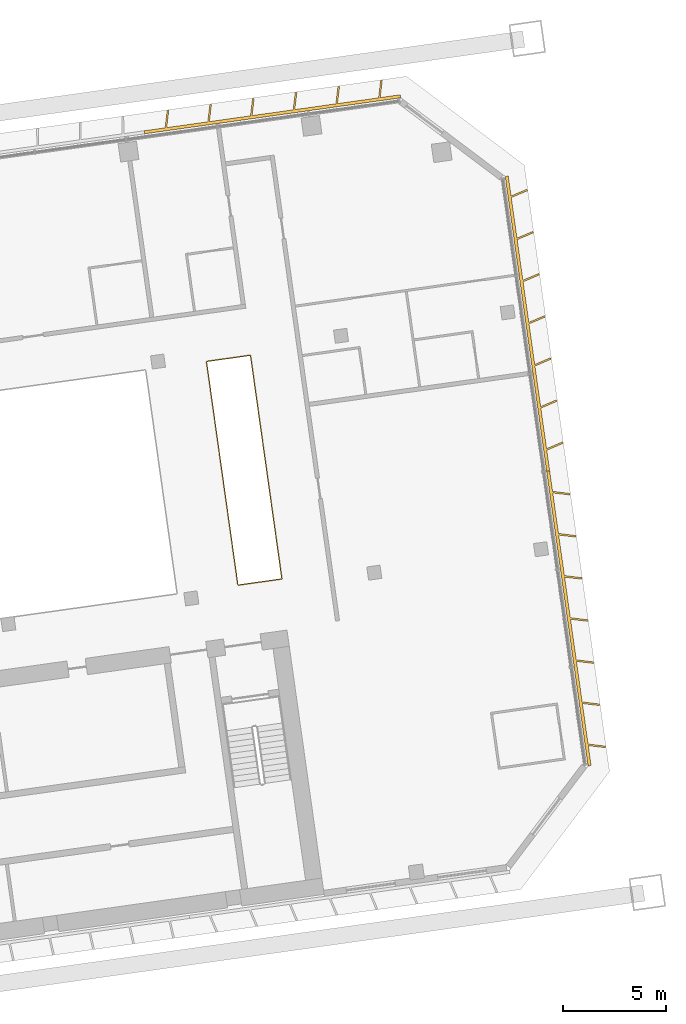
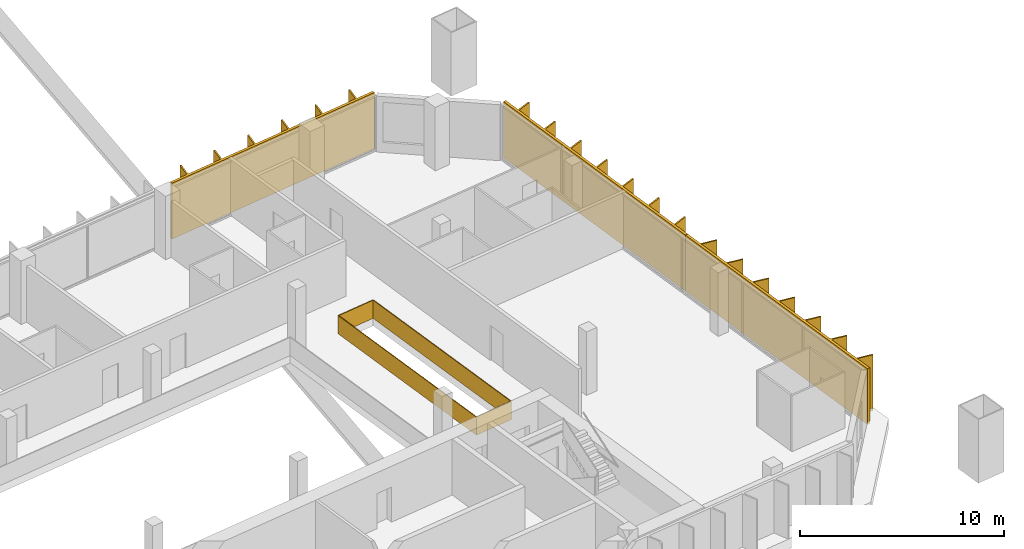
# One storey, part 41 of 41: 3 shading devices, 1 railing.
"""IFC4 building model written with IfcOpenShell, lengths in metres."""

from ifc_helpers import new_model, si_unit, direction, frame, origin, origin_2d, place, context, subcontext, project, spatial, polyline, rectangle, outline, extrude, material, type_object, element, save


model = new_model("IFC4")

# Units and contexts
model_context = context("Model", 3, precision=1e-05, world=origin(), true_north=direction((0.0, 1.0)))
body_context = subcontext(model_context, "Body", "Model", "MODEL_VIEW")
ifc_project = project(units=[si_unit("LENGTHUNIT", "METRE"), si_unit("AREAUNIT", "SQUARE_METRE"), si_unit("VOLUMEUNIT", "CUBIC_METRE"), si_unit("PLANEANGLEUNIT", "RADIAN"), si_unit("MASSUNIT", "GRAM", prefix="KILO")], contexts=[model_context])

# Site, building, storey
site_placement = place(None, origin())
site = spatial("IfcSite", under=ifc_project, at=site_placement, CompositionType="ELEMENT")
building_placement = place(site_placement, origin())
building = spatial("IfcBuilding", under=site, at=building_placement, Name="Mirante Cascada Hotel Towers", CompositionType="ELEMENT")
storey_placement = place(building_placement, frame((0.0, 0.0, 125.3)))
storey = spatial("IfcBuildingStorey", under=building, at=storey_placement, Name="L28", CompositionType="ELEMENT", Elevation=125.3)

# Railing
ifc_material_1 = material(Name="Toughened glass with stainless steel handrail", Category="steel")
railing_type = type_object("IfcRailingType", Name="Atrium guard 1100 glass balustrade", PredefinedType="GUARDRAIL", material=ifc_material_1)
railing_placement = place(storey_placement, frame((86.2624, 2.4738, 0.0)))
element("IfcRailing", 1, at=railing_placement, inside=storey, type_object=railing_type, Name="GUARD 2-L28-3", PredefinedType="GUARDRAIL", context=body_context, shape_type="SweptSolid", body=[
    extrude(rectangle(XDim=0.048, YDim=0.048, at=origin_2d()), frame((0.0, 0.0, 1.076), z_axis=(0.9902724, 0.1391422, 0.0), x_axis=(-0.1391422, 0.9902724, 0.0)), (0.0, 0.0, 1.0), 2.1625),
    extrude(rectangle(XDim=0.02, YDim=1.052, at=origin_2d()), frame((0.0, 0.0, 0.526), z_axis=(0.9902724, 0.1391422, 0.0), x_axis=(-0.1391422, 0.9902724, 0.0)), (0.0, 0.0, 1.0), 2.1625),
    extrude(rectangle(XDim=0.048, YDim=0.048, at=origin_2d()), frame((2.1415, 0.3009, 1.076), z_axis=(-0.1391721, 0.9902682, 0.0), x_axis=(-0.9902682, -0.1391721, 0.0)), (0.0, 0.0, 1.0), 11.0001),
    extrude(rectangle(XDim=0.02, YDim=1.052, at=origin_2d()), frame((2.1415, 0.3009, 0.526), z_axis=(-0.1391721, 0.9902682, 0.0), x_axis=(-0.9902682, -0.1391721, 0.0)), (0.0, 0.0, 1.0), 11.0001),
    extrude(rectangle(XDim=0.048, YDim=0.048, at=origin_2d()), frame((0.6106, 11.1939, 1.076), z_axis=(-0.990266, -0.1391875, 0.0), x_axis=(0.1391875, -0.990266, 0.0)), (0.0, 0.0, 1.0), 2.1626),
    extrude(rectangle(XDim=0.02, YDim=1.052, at=origin_2d()), frame((0.6106, 11.1939, 0.526), z_axis=(-0.990266, -0.1391875, 0.0), x_axis=(0.1391875, -0.990266, 0.0)), (0.0, 0.0, 1.0), 2.1626),
    extrude(rectangle(XDim=0.048, YDim=0.048, at=origin_2d()), frame((-1.5309, 10.8929, 1.076), z_axis=(0.1391733, -0.990268, 0.0), x_axis=(0.990268, 0.1391733, 0.0)), (0.0, 0.0, 1.0), 11.0),
    extrude(rectangle(XDim=0.02, YDim=1.052, at=origin_2d()), frame((-1.5309, 10.8929, 0.526), z_axis=(0.1391733, -0.990268, 0.0), x_axis=(0.990268, 0.1391733, 0.0)), (0.0, 0.0, 1.0), 11.0),
])

# Shading devices
ifc_material_2 = material(Name="White precast concrete C50/60 fin", Category="concrete")
shading_device_type = type_object("IfcShadingDeviceType", Name="Vertical fin set 4500x900", PredefinedType="USERDEFINED", material=ifc_material_2)
shading_device_1_placement = place(storey_placement, origin())
element("IfcShadingDevice", 2, at=shading_device_1_placement, inside=storey, type_object=shading_device_type, Name="FIN T2 L28 front 1", ObjectType="FIN", PredefinedType="USERDEFINED", context=body_context, shape_type="SweptSolid", body=[
    extrude(outline(polyline([(82.8967, 25.5893), (82.7946, 24.758), (84.7922, 25.0387), (84.8968, 25.8913), (84.9762, 25.8815), (84.8742, 25.0503), (86.8717, 25.331), (86.9764, 26.1835), (87.0558, 26.1738), (86.9537, 25.3425), (88.9513, 25.6233), (89.056, 26.4758), (89.1354, 26.4661), (89.0333, 25.6348), (91.0308, 25.9155), (91.1355, 26.7681), (91.2149, 26.7583), (91.1129, 25.9271), (93.1104, 26.2078), (93.2151, 27.0603), (93.2945, 27.0506), (93.1924, 26.2193), (94.1779, 26.3578), (94.1988, 26.2093), (81.7214, 24.4557), (81.7006, 24.6042), (82.7126, 24.7465), (82.8173, 25.599), (82.8967, 25.5893)])), origin(), (0.0, 0.0, 1.0), 3.35),
])
shading_device_2_placement = place(storey_placement, origin())
element("IfcShadingDevice", 3, at=shading_device_2_placement, inside=storey, type_object=shading_device_type, Name="FIN T2 L28 outer 1", ObjectType="FIN", PredefinedType="USERDEFINED", context=body_context, shape_type="SweptSolid", body=[
    extrude(outline(polyline([(104.1606, -5.4483), (103.3293, -5.3462), (103.4659, -6.3175), (103.3173, -6.3384), (101.2993, 8.0205), (101.4478, 8.0413), (101.5881, 7.0434), (102.4406, 6.9388), (102.4309, 6.8594), (101.5996, 6.9614), (101.8764, 4.9922), (102.7289, 4.8875), (102.7192, 4.8081), (101.8879, 4.9102), (102.1647, 2.9409), (103.0172, 2.8362), (103.0075, 2.7568), (102.1762, 2.8589), (102.4529, 0.8896), (103.3055, 0.785), (103.2957, 0.7056), (102.4645, 0.8076), (102.7412, -1.1616), (103.5938, -1.2663), (103.584, -1.3457), (102.7528, -1.2436), (103.0295, -3.2129), (103.8821, -3.3176), (103.8723, -3.397), (103.041, -3.2949), (103.3178, -5.2642), (104.1704, -5.3689), (104.1606, -5.4483)])), origin(), (0.0, 0.0, 1.0), 3.35),
])
shading_device_3_placement = place(storey_placement, origin())
element("IfcShadingDevice", 4, at=shading_device_3_placement, inside=storey, type_object=shading_device_type, Name="FIN T2 L28 outer 2", ObjectType="FIN", PredefinedType="USERDEFINED", context=body_context, shape_type="SweptSolid", body=[
    extrude(outline(polyline([(102.0983, 9.3749), (101.3076, 9.0392), (101.4478, 8.0413), (101.2993, 8.0205), (99.2813, 22.3794), (99.4298, 22.4002), (99.5663, 21.4289), (100.3373, 21.7561), (100.3685, 21.6825), (99.5779, 21.3469), (99.8546, 19.3776), (100.6256, 19.7048), (100.6568, 19.6312), (99.8662, 19.2956), (100.1429, 17.3263), (100.9139, 17.6536), (100.9451, 17.5799), (100.1544, 17.2443), (100.4312, 15.2751), (101.2021, 15.6023), (101.2334, 15.5287), (100.4427, 15.193), (100.7195, 13.2238), (101.4904, 13.551), (101.5217, 13.4774), (100.731, 13.1418), (101.0078, 11.1725), (101.7787, 11.4998), (101.81, 11.4261), (101.0193, 11.0905), (101.2961, 9.1212), (102.067, 9.4485), (102.0983, 9.3749)])), origin(), (0.0, 0.0, 1.0), 3.35),
])

save(model, "model.ifc")
